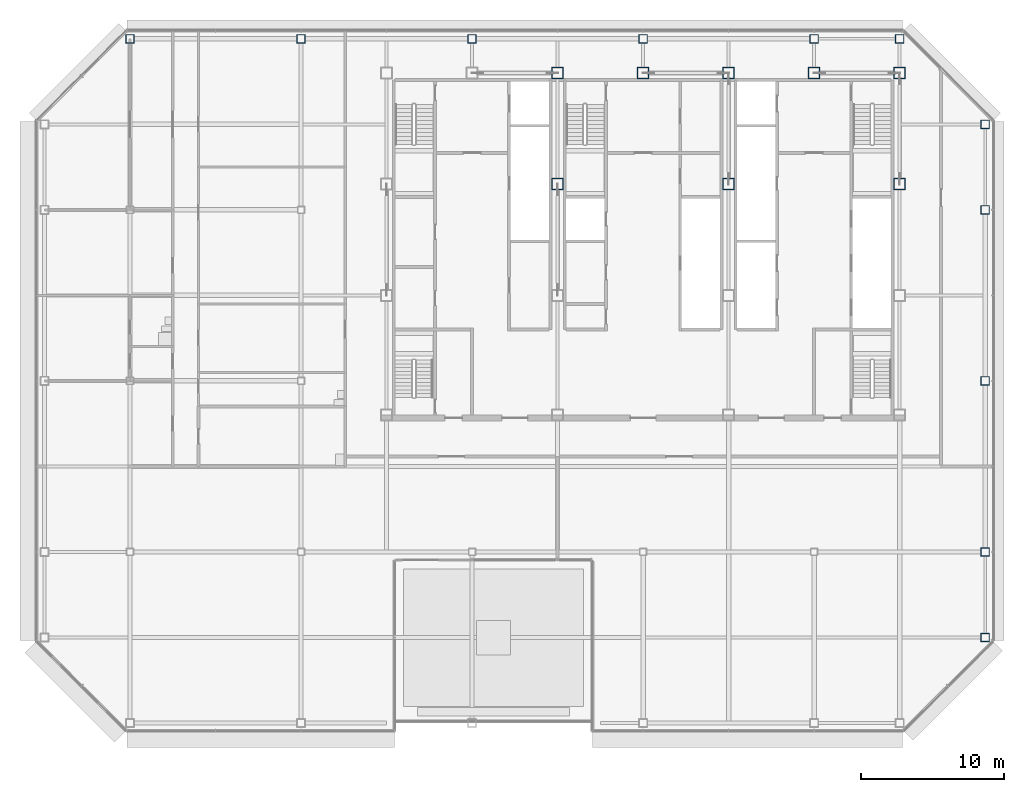
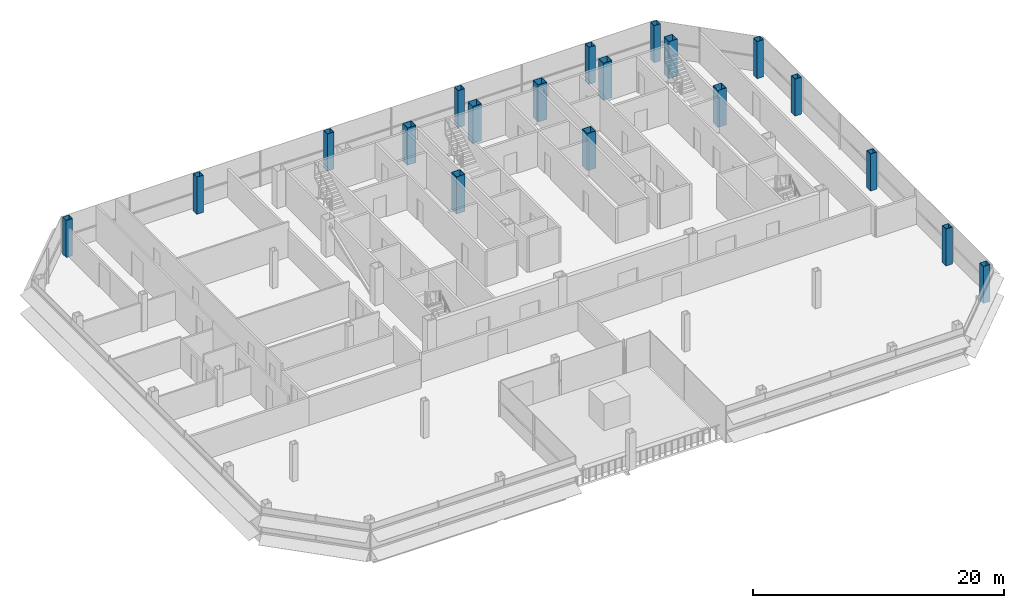
# One storey, part 2 of 27: 19 columns.
"""IFC4 building model written with IfcOpenShell, lengths in metres."""

from ifc_helpers import new_model, si_unit, direction, frame, origin, origin_2d, place, context, subcontext, project, spatial, hollow_rectangle, extrude, material, material_profile, profile_set, type_object, element, save


model = new_model("IFC4")

# Units and contexts
model_context = context("Model", 3, precision=1e-05, world=origin(), true_north=direction((0.0, 1.0)))
body_context = subcontext(model_context, "Body", "Model", "MODEL_VIEW")
ifc_project = project(units=[si_unit("LENGTHUNIT", "METRE"), si_unit("AREAUNIT", "SQUARE_METRE"), si_unit("VOLUMEUNIT", "CUBIC_METRE"), si_unit("PLANEANGLEUNIT", "RADIAN"), si_unit("MASSUNIT", "GRAM", prefix="KILO")], contexts=[model_context])

# Site, building, storey
site_placement = place(None, origin())
site = spatial("IfcSite", under=ifc_project, at=site_placement, CompositionType="ELEMENT")
building_placement = place(site_placement, origin())
building = spatial("IfcBuilding", under=site, at=building_placement, Name="Sorahane Residences", CompositionType="ELEMENT")
storey_placement = place(building_placement, frame((0.0, 0.0, 298.0)))
storey = spatial("IfcBuildingStorey", under=building, at=storey_placement, Name="L70", CompositionType="ELEMENT", Elevation=298.0)

# Columns
ifc_material_1 = material(Name="Steel Q355B", Category="steel")
ifc_material_profile_1 = material_profile(ifc_material_1, hollow_rectangle(XDim=0.60009765625, YDim=0.60009765625, WallThickness=0.028076171875, at=origin_2d()), Name="BOX 600x600x28")
ifc_profile_set_1 = profile_set([ifc_material_profile_1], Name="Steel Q355B")
column_type_1 = type_object("IfcColumnType", Name="Steel box column BOX 600x600x28 Q355B", PredefinedType="COLUMN", material=ifc_profile_set_1)
for number, where, z_axis, x_axis, name in (
    (1, (-12.0, 48.0, 0.0), (0.0, 0.0, 1.0), (1.0, 0.0, 0.0), "Column L70 m12/48"),
    (2, (0.0, 48.0, 0.0), (0.0, 0.0, 1.0), (1.0, 0.0, 0.0), "Column L70 0/48"),
    (3, (12.0, 48.0, 0.0), (0.0, 0.0, 1.0), (1.0, 0.0, 0.0), "Column L70 12/48"),
    (4, (24.0, 48.0, 0.0), (0.0, 0.0, 1.0), (1.0, 0.0, 0.0), "Column L70 24/48"),
    (5, (36.0, 48.0, 0.0), (0.0, 0.0, 1.0), (1.0, 0.0, 0.0), "Column L70 36/48"),
    (6, (42.0, 48.0, 0.0), (0.0, 0.0, 1.0), (1.0, 0.0, 0.0), "Column L70 42/48"),
    (7, (48.0, 6.0, 0.0), (0.0, 0.0, 1.0), (1.0, 0.0, 0.0), "Column L70 48/6"),
    (8, (48.0, 12.0, 0.0), (0.0, 0.0, 1.0), (1.0, 0.0, 0.0), "Column L70 48/12"),
    (9, (48.0, 24.0, 0.0), (0.0, 0.0, 1.0), (1.0, 0.0, 0.0), "Column L70 48/24"),
    (10, (48.0, 36.0, 0.0), (0.0, 0.0, 1.0), (1.0, 0.0, 0.0), "Column L70 48/36"),
    (11, (48.0, 42.0, 0.0), (0.0, 0.0, 1.0), (1.0, 0.0, 0.0), "Column L70 48/42"),
):
    element("IfcColumn", number, at=place(storey_placement, frame(where, z_axis=z_axis, x_axis=x_axis)), inside=storey, type_object=column_type_1, Name=name, PredefinedType="COLUMN", context=body_context, shape_type="SweptSolid", body=[
        extrude(hollow_rectangle(XDim=0.60009765625, YDim=0.60009765625, WallThickness=0.028076171875, at=origin_2d()), origin(), (0.0, 0.0, 1.0), 3.60009765625),
    ])
ifc_material_2 = material(Name="Steel Q355B", Category="steel")
ifc_material_profile_2 = material_profile(ifc_material_2, hollow_rectangle(XDim=0.800048828125, YDim=0.800048828125, WallThickness=0.031982421875, at=origin_2d()), Name="BOX 800x800x32")
ifc_profile_set_2 = profile_set([ifc_material_profile_2], Name="Steel Q355B")
column_type_2 = type_object("IfcColumnType", Name="Steel box column BOX 800x800x32 Q355B", PredefinedType="COLUMN", material=ifc_profile_set_2)
for number, where, z_axis, x_axis, name in (
    (12, (18.0, 37.800048828125, 0.0), (0.0, 0.0, 1.0), (1.0, 0.0, 0.0), "Column L70 18/37.8"),
    (13, (18.0, 45.60009765625, 0.0), (0.0, 0.0, 1.0), (1.0, 0.0, 0.0), "Column L70 18/45.6"),
    (14, (24.0, 45.60009765625, 0.0), (0.0, 0.0, 1.0), (1.0, 0.0, 0.0), "Column L70 24/45.6"),
    (15, (30.0, 37.800048828125, 0.0), (0.0, 0.0, 1.0), (1.0, 0.0, 0.0), "Column L70 30/37.8"),
    (16, (30.0, 45.60009765625, 0.0), (0.0, 0.0, 1.0), (1.0, 0.0, 0.0), "Column L70 30/45.6"),
    (17, (36.0, 45.60009765625, 0.0), (0.0, 0.0, 1.0), (1.0, 0.0, 0.0), "Column L70 36/45.6"),
    (18, (42.0, 37.800048828125, 0.0), (0.0, 0.0, 1.0), (1.0, 0.0, 0.0), "Column L70 42/37.8"),
    (19, (42.0, 45.60009765625, 0.0), (0.0, 0.0, 1.0), (1.0, 0.0, 0.0), "Column L70 42/45.6"),
):
    element("IfcColumn", number, at=place(storey_placement, frame(where, z_axis=z_axis, x_axis=x_axis)), inside=storey, type_object=column_type_2, Name=name, PredefinedType="COLUMN", context=body_context, shape_type="SweptSolid", body=[
        extrude(hollow_rectangle(XDim=0.800048828125, YDim=0.800048828125, WallThickness=0.031982421875, at=origin_2d()), origin(), (0.0, 0.0, 1.0), 3.60009765625),
    ])

save(model, "model.ifc")
